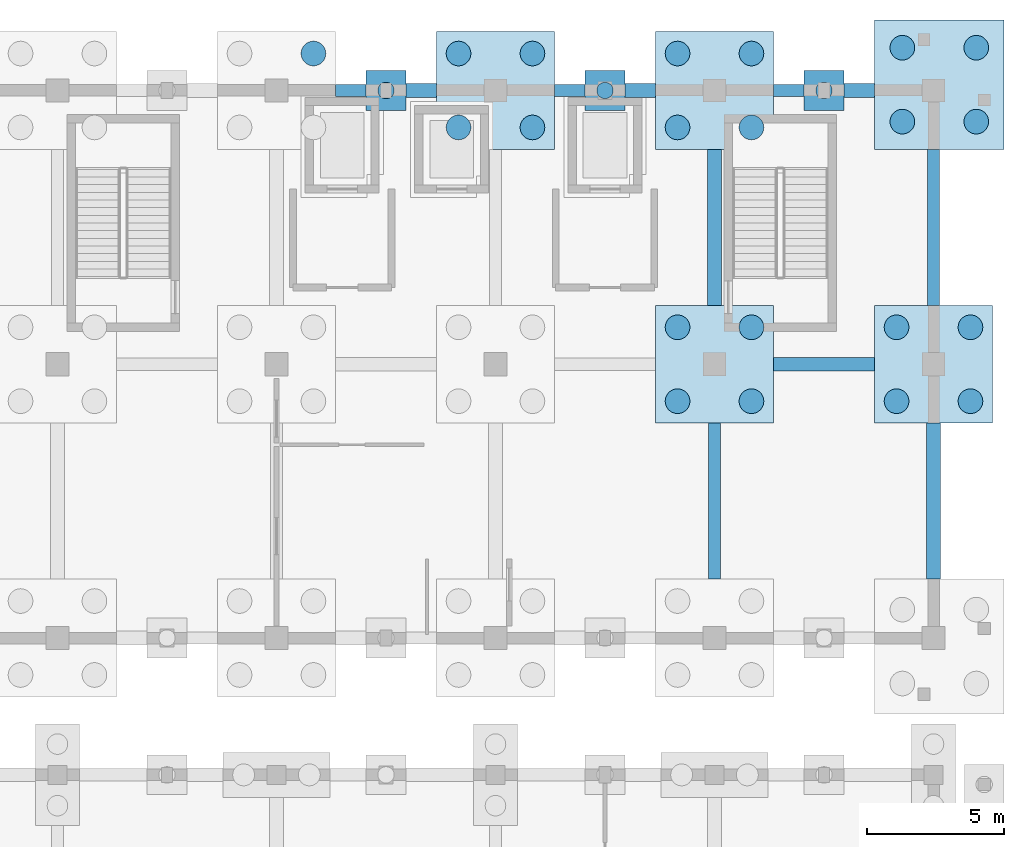
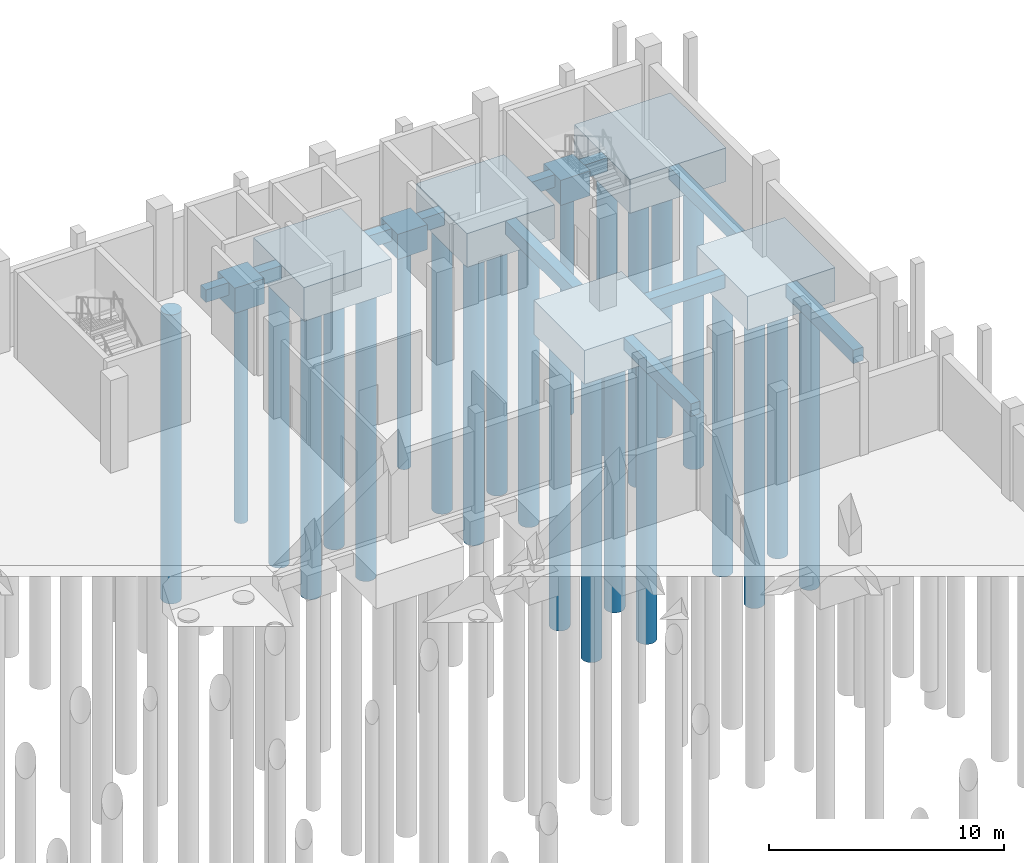
# One storey, part 14 of 52: 24 piles, 19 footings.
"""IFC4 building model written with IfcOpenShell, lengths in metres."""

from ifc_helpers import new_model, si_unit, direction, frame, origin, origin_2d, place, context, subcontext, project, spatial, polyline, rectangle, circle, outline, extrude, material, material_profile, profile_set, type_object, element, save


model = new_model("IFC4")

# Units and contexts
model_context = context("Model", 3, precision=1e-05, world=origin(), true_north=direction((0.0, 1.0)))
body_context = subcontext(model_context, "Body", "Model", "MODEL_VIEW")
ifc_project = project(units=[si_unit("LENGTHUNIT", "METRE"), si_unit("AREAUNIT", "SQUARE_METRE"), si_unit("VOLUMEUNIT", "CUBIC_METRE"), si_unit("PLANEANGLEUNIT", "RADIAN"), si_unit("MASSUNIT", "GRAM", prefix="KILO")], contexts=[model_context])

# Site, building, storey
site_placement = place(None, origin())
site = spatial("IfcSite", under=ifc_project, at=site_placement, CompositionType="ELEMENT")
building_placement = place(site_placement, origin())
building = spatial("IfcBuilding", under=site, at=building_placement, Name="Luwemba Playhouse", CompositionType="ELEMENT")
storey_placement = place(building_placement, frame((0.0, 0.0, -4.800048828125)))
storey = spatial("IfcBuildingStorey", under=building, at=storey_placement, Name="B1", CompositionType="ELEMENT", Elevation=-4.800048828125)

# Footings
ifc_material = material(Name="Concrete C32/40", Category="concrete")
ifc_material_profile_1 = material_profile(ifc_material, rectangle(XDim=0.449951171875, YDim=0.64990234375, at=origin_2d()))
ifc_profile_set_1 = profile_set([ifc_material_profile_1], Name="Concrete C32/40")
footing_type_1 = type_object("IfcFootingType", Name="FTBM-GB1", PredefinedType="FOOTING_BEAM", material=ifc_profile_set_1)
for number, where, z_axis, x_axis, name in (
    (1, (150.14990234375, 115.0, -0.704833984375), (1.0, 0.0, 0.0), (0.0, 1.0, 0.0), "Ground tie-beam 263"),
    (2, (158.14990234375, 115.0, -0.704833984375), (1.0, 0.0, 0.0), (0.0, 1.0, 0.0), "Ground tie-beam 265"),
    (3, (166.14990234375, 115.0, -0.704833984375), (1.0, 0.0, 0.0), (0.0, 1.0, 0.0), "Ground tie-beam 267"),
):
    element("IfcFooting", number, at=place(storey_placement, frame(where, z_axis=z_axis, x_axis=x_axis)), inside=storey, type_object=footing_type_1, Name=name, PredefinedType="FOOTING_BEAM", context=body_context, shape_type="SweptSolid", body=[
        extrude(rectangle(XDim=0.449951171875, YDim=0.64990234375, at=origin_2d()), origin(), (0.0, 0.0, 1.0), 1.125),
    ])
for number, where, z_axis, x_axis, name in (
    (4, (164.0, 97.14990234375, -0.704833984375), (0.0, 1.0, 0.0), (-1.0, 0.0, 0.0), "Ground tie-beam 415"),
    (5, (172.0, 107.14990234375, -0.704833984375), (0.0, 1.0, 0.0), (-1.0, 0.0, 0.0), "Ground tie-beam 427"),
):
    element("IfcFooting", number, at=place(storey_placement, frame(where, z_axis=z_axis, x_axis=x_axis)), inside=storey, type_object=footing_type_1, Name=name, PredefinedType="FOOTING_BEAM", context=body_context, shape_type="SweptSolid", body=[
        extrude(rectangle(XDim=0.449951171875, YDim=0.64990234375, at=origin_2d()), origin(), (0.0, 0.0, 1.0), 5.7001953125),
    ])
ifc_material_profile_2 = material_profile(ifc_material, rectangle(XDim=0.5, YDim=0.699951171875, at=origin_2d()))
ifc_profile_set_2 = profile_set([ifc_material_profile_2], Name="Concrete C32/40")
footing_type_2 = type_object("IfcFootingType", Name="FTBM-GB2", PredefinedType="FOOTING_BEAM", material=ifc_profile_set_2)
footing_1_placement = place(storey_placement, frame((166.14990234375, 105.0, -0.72998046875), z_axis=(1.0, 0.0, 0.0), x_axis=(0.0, 1.0, 0.0)))
element("IfcFooting", 6, at=footing_1_placement, inside=storey, type_object=footing_type_2, Name="Ground tie-beam 234", PredefinedType="FOOTING_BEAM", context=body_context, shape_type="SweptSolid", body=[
    extrude(rectangle(XDim=0.5, YDim=0.699951171875, at=origin_2d()), origin(), (0.0, 0.0, 1.0), 3.7001953125),
])
for number, where, z_axis, x_axis, name in (
    (7, (152.72509765625, 115.0, -0.72998046875), (1.0, 0.0, 0.0), (0.0, 1.0, 0.0), "Ground tie-beam 264"),
    (8, (160.72509765625, 115.0, -0.72998046875), (1.0, 0.0, 0.0), (0.0, 1.0, 0.0), "Ground tie-beam 266"),
    (9, (168.72509765625, 115.0, -0.72998046875), (1.0, 0.0, 0.0), (0.0, 1.0, 0.0), "Ground tie-beam 268"),
):
    element("IfcFooting", number, at=place(storey_placement, frame(where, z_axis=z_axis, x_axis=x_axis)), inside=storey, type_object=footing_type_2, Name=name, PredefinedType="FOOTING_BEAM", context=body_context, shape_type="SweptSolid", body=[
        extrude(rectangle(XDim=0.5, YDim=0.699951171875, at=origin_2d()), origin(), (0.0, 0.0, 1.0), 1.125),
    ])
for number, where, z_axis, x_axis, name in (
    (10, (164.0, 107.14990234375, -0.72998046875), (0.0, 1.0, 0.0), (-1.0, 0.0, 0.0), "Ground tie-beam 416"),
    (11, (172.0, 97.14990234375, -0.72998046875), (0.0, 1.0, 0.0), (-1.0, 0.0, 0.0), "Ground tie-beam 426"),
):
    element("IfcFooting", number, at=place(storey_placement, frame(where, z_axis=z_axis, x_axis=x_axis)), inside=storey, type_object=footing_type_2, Name=name, PredefinedType="FOOTING_BEAM", context=body_context, shape_type="SweptSolid", body=[
        extrude(rectangle(XDim=0.5, YDim=0.699951171875, at=origin_2d()), origin(), (0.0, 0.0, 1.0), 5.7001953125),
    ])
footing_type_3 = type_object("IfcFootingType", Name="FTG-PC02", PredefinedType="PILE_CAP", material=ifc_material)
footing_2_placement = place(storey_placement, frame((0.0, 0.0, -1.679931640625)))
element("IfcFooting", 12, at=footing_2_placement, inside=storey, type_object=footing_type_3, Name="Pile cap 338", PredefinedType="PILE_CAP", context=body_context, shape_type="SweptSolid", body=[
    extrude(outline(polyline([(151.27490234375, 114.27490234375), (152.72509765625, 114.27490234375), (152.72509765625, 115.72509765625), (151.27490234375, 115.72509765625), (151.27490234375, 114.27490234375)])), origin(), (0.0, 0.0, 1.0), 1.300048828125),
])
footing_3_placement = place(storey_placement, frame((0.0, 0.0, -1.679931640625)))
element("IfcFooting", 13, at=footing_3_placement, inside=storey, type_object=footing_type_3, Name="Pile cap 339", PredefinedType="PILE_CAP", context=body_context, shape_type="SweptSolid", body=[
    extrude(outline(polyline([(159.27490234375, 114.27490234375), (160.72509765625, 114.27490234375), (160.72509765625, 115.72509765625), (159.27490234375, 115.72509765625), (159.27490234375, 114.27490234375)])), origin(), (0.0, 0.0, 1.0), 1.300048828125),
])
footing_4_placement = place(storey_placement, frame((0.0, 0.0, -1.679931640625)))
element("IfcFooting", 14, at=footing_4_placement, inside=storey, type_object=footing_type_3, Name="Pile cap 340", PredefinedType="PILE_CAP", context=body_context, shape_type="SweptSolid", body=[
    extrude(outline(polyline([(167.27490234375, 114.27490234375), (168.72509765625, 114.27490234375), (168.72509765625, 115.72509765625), (167.27490234375, 115.72509765625), (167.27490234375, 114.27490234375)])), origin(), (0.0, 0.0, 1.0), 1.300048828125),
])
footing_type_4 = type_object("IfcFootingType", Name="FTG-PC21", PredefinedType="PILE_CAP", material=ifc_material)
footing_5_placement = place(storey_placement, frame((0.0, 0.0, -2.1298828125)))
element("IfcFooting", 15, at=footing_5_placement, inside=storey, type_object=footing_type_4, Name="Pile cap 290", PredefinedType="PILE_CAP", context=body_context, shape_type="SweptSolid", body=[
    extrude(outline(polyline([(161.85009765625, 102.85009765625), (166.14990234375, 102.85009765625), (166.14990234375, 107.14990234375), (161.85009765625, 107.14990234375), (161.85009765625, 102.85009765625)])), origin(), (0.0, 0.0, 1.0), 1.75),
])
footing_6_placement = place(storey_placement, frame((0.0, 0.0, -2.1298828125)))
element("IfcFooting", 16, at=footing_6_placement, inside=storey, type_object=footing_type_4, Name="Pile cap 291", PredefinedType="PILE_CAP", context=body_context, shape_type="SweptSolid", body=[
    extrude(outline(polyline([(169.85009765625, 102.85009765625), (174.14990234375, 102.85009765625), (174.14990234375, 107.14990234375), (169.85009765625, 107.14990234375), (169.85009765625, 102.85009765625)])), origin(), (0.0, 0.0, 1.0), 1.75),
])
footing_7_placement = place(storey_placement, frame((0.0, 0.0, -2.1298828125)))
element("IfcFooting", 17, at=footing_7_placement, inside=storey, type_object=footing_type_4, Name="Pile cap 308", PredefinedType="PILE_CAP", context=body_context, shape_type="SweptSolid", body=[
    extrude(outline(polyline([(153.85009765625, 112.85009765625), (158.14990234375, 112.85009765625), (158.14990234375, 117.14990234375), (153.85009765625, 117.14990234375), (153.85009765625, 112.85009765625)])), origin(), (0.0, 0.0, 1.0), 1.75),
])
footing_8_placement = place(storey_placement, frame((0.0, 0.0, -2.1298828125)))
element("IfcFooting", 18, at=footing_8_placement, inside=storey, type_object=footing_type_4, Name="Pile cap 309", PredefinedType="PILE_CAP", context=body_context, shape_type="SweptSolid", body=[
    extrude(outline(polyline([(161.85009765625, 112.85009765625), (166.14990234375, 112.85009765625), (166.14990234375, 117.14990234375), (161.85009765625, 117.14990234375), (161.85009765625, 112.85009765625)])), origin(), (0.0, 0.0, 1.0), 1.75),
])
footing_type_5 = type_object("IfcFootingType", Name="FTG-PC25", PredefinedType="PILE_CAP", material=ifc_material)
footing_9_placement = place(storey_placement, frame((0.0, 0.0, -2.1298828125)))
element("IfcFooting", 19, at=footing_9_placement, inside=storey, type_object=footing_type_5, Name="Pile cap 310", PredefinedType="PILE_CAP", context=body_context, shape_type="SweptSolid", body=[
    extrude(outline(polyline([(169.85009765625, 112.85009765625), (174.574951171875, 112.85009765625), (174.574951171875, 117.574951171875), (169.85009765625, 117.574951171875), (169.85009765625, 112.85009765625)])), origin(), (0.0, 0.0, 1.0), 1.75),
])

# Piles
ifc_material_profile_3 = material_profile(ifc_material, circle(Radius=0.300048828125, at=origin_2d()))
ifc_profile_set_3 = profile_set([ifc_material_profile_3], Name="Concrete C32/40")
pile_type_1 = type_object("IfcPileType", Name="PILE-BP1", PredefinedType="BORED", material=ifc_profile_set_3)
for number, where, z_axis, x_axis, name in (
    (20, (152.0, 115.0, -1.579833984375), (0.0, 0.0, -1.0), (1.0, 0.0, 0.0), "Bored pile 632"),
    (21, (160.0, 115.0, -1.579833984375), (0.0, 0.0, -1.0), (1.0, 0.0, 0.0), "Bored pile 633"),
    (22, (168.0, 115.0, -1.579833984375), (0.0, 0.0, -1.0), (1.0, 0.0, 0.0), "Bored pile 634"),
):
    element("IfcPile", number, at=place(storey_placement, frame(where, z_axis=z_axis, x_axis=x_axis)), inside=storey, type_object=pile_type_1, Name=name, PredefinedType="BORED", context=body_context, shape_type="SweptSolid", body=[
        extrude(circle(Radius=0.300048828125, at=origin_2d()), origin(), (0.0, 0.0, 1.0), 11.5),
    ])
ifc_material_profile_4 = material_profile(ifc_material, circle(Radius=0.449951171875, at=origin_2d()))
ifc_profile_set_4 = profile_set([ifc_material_profile_4], Name="Concrete C32/40")
pile_type_2 = type_object("IfcPileType", Name="PILE-BP4", PredefinedType="BORED", material=ifc_profile_set_4)
for number, where, z_axis, x_axis, name in (
    (23, (162.64990234375, 103.64990234375, -2.030029296875), (0.0, 0.0, -1.0), (1.0, 0.0, 0.0), "Bored pile 534"),
    (24, (162.64990234375, 106.35009765625, -2.030029296875), (0.0, 0.0, -1.0), (1.0, 0.0, 0.0), "Bored pile 535"),
    (25, (165.35009765625, 103.64990234375, -2.030029296875), (0.0, 0.0, -1.0), (1.0, 0.0, 0.0), "Bored pile 536"),
    (26, (165.35009765625, 106.35009765625, -2.030029296875), (0.0, 0.0, -1.0), (1.0, 0.0, 0.0), "Bored pile 537"),
    (27, (170.64990234375, 103.64990234375, -2.030029296875), (0.0, 0.0, -1.0), (1.0, 0.0, 0.0), "Bored pile 538"),
    (28, (170.64990234375, 106.35009765625, -2.030029296875), (0.0, 0.0, -1.0), (1.0, 0.0, 0.0), "Bored pile 539"),
    (29, (173.35009765625, 103.64990234375, -2.030029296875), (0.0, 0.0, -1.0), (1.0, 0.0, 0.0), "Bored pile 540"),
    (30, (173.35009765625, 106.35009765625, -2.030029296875), (0.0, 0.0, -1.0), (1.0, 0.0, 0.0), "Bored pile 541"),
    (31, (149.35009765625, 116.35009765625, -2.030029296875), (0.0, 0.0, -1.0), (1.0, 0.0, 0.0), "Bored pile 579"),
    (32, (154.64990234375, 113.64990234375, -2.030029296875), (0.0, 0.0, -1.0), (1.0, 0.0, 0.0), "Bored pile 580"),
    (33, (154.64990234375, 116.35009765625, -2.030029296875), (0.0, 0.0, -1.0), (1.0, 0.0, 0.0), "Bored pile 581"),
    (34, (157.35009765625, 113.64990234375, -2.030029296875), (0.0, 0.0, -1.0), (1.0, 0.0, 0.0), "Bored pile 582"),
    (35, (157.35009765625, 116.35009765625, -2.030029296875), (0.0, 0.0, -1.0), (1.0, 0.0, 0.0), "Bored pile 583"),
    (36, (162.64990234375, 113.64990234375, -2.030029296875), (0.0, 0.0, -1.0), (1.0, 0.0, 0.0), "Bored pile 584"),
    (37, (162.64990234375, 116.35009765625, -2.030029296875), (0.0, 0.0, -1.0), (1.0, 0.0, 0.0), "Bored pile 585"),
    (38, (165.35009765625, 113.64990234375, -2.030029296875), (0.0, 0.0, -1.0), (1.0, 0.0, 0.0), "Bored pile 586"),
    (39, (165.35009765625, 116.35009765625, -2.030029296875), (0.0, 0.0, -1.0), (1.0, 0.0, 0.0), "Bored pile 587"),
    (40, (170.862548828125, 113.862548828125, -2.030029296875), (0.0, 0.0, -1.0), (1.0, 0.0, 0.0), "Bored pile 588"),
    (41, (170.862548828125, 116.5625, -2.030029296875), (0.0, 0.0, -1.0), (1.0, 0.0, 0.0), "Bored pile 589"),
    (42, (173.5625, 113.862548828125, -2.030029296875), (0.0, 0.0, -1.0), (1.0, 0.0, 0.0), "Bored pile 590"),
    (43, (173.5625, 116.5625, -2.030029296875), (0.0, 0.0, -1.0), (1.0, 0.0, 0.0), "Bored pile 591"),
):
    element("IfcPile", number, at=place(storey_placement, frame(where, z_axis=z_axis, x_axis=x_axis)), inside=storey, type_object=pile_type_2, Name=name, PredefinedType="BORED", context=body_context, shape_type="SweptSolid", body=[
        extrude(circle(Radius=0.449951171875, at=origin_2d()), origin(), (0.0, 0.0, 1.0), 15.0),
    ])

save(model, "model.ifc")
